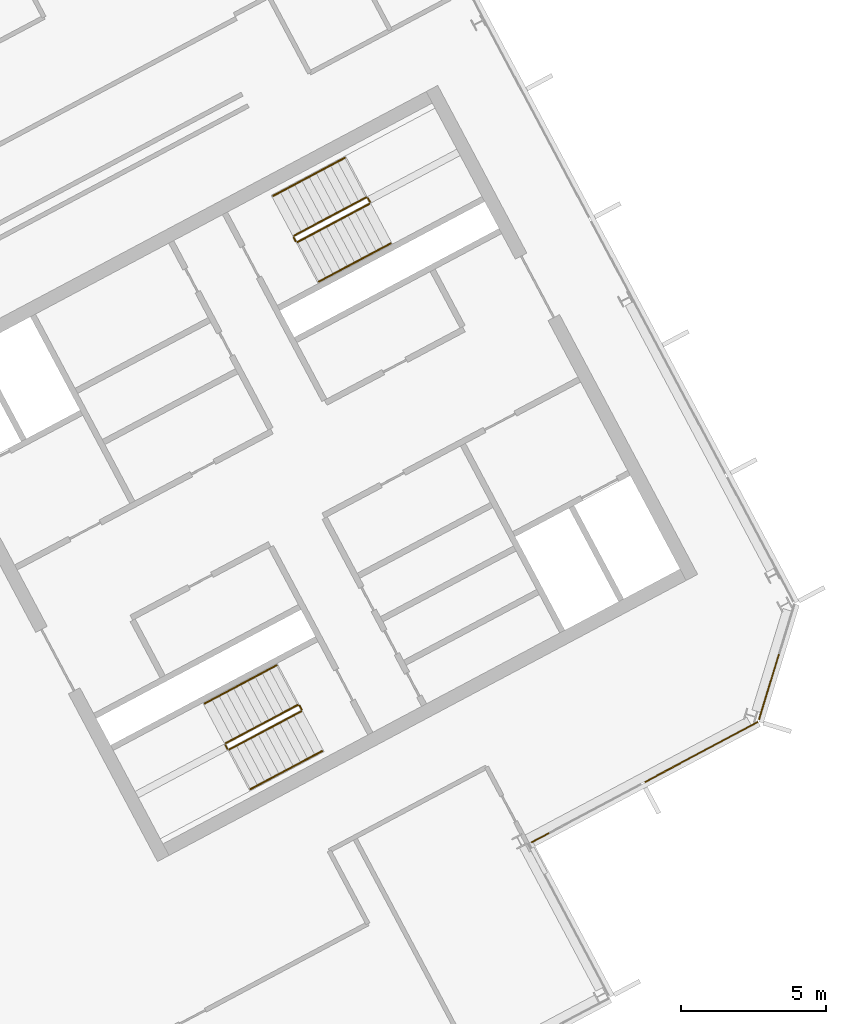
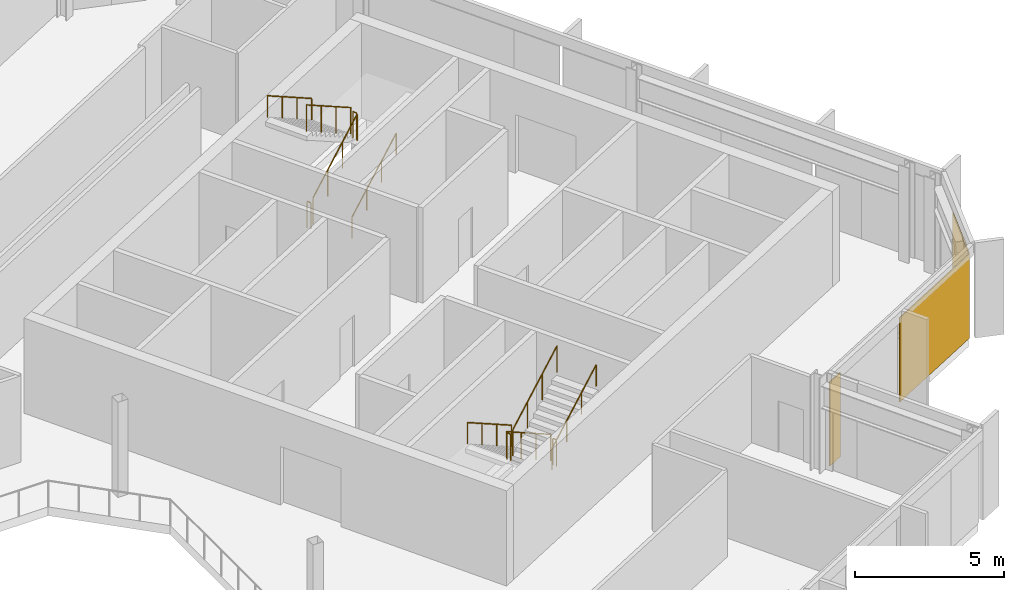
# One storey, part 25 of 26: 12 railings, 3 coverings, 2 elements without a shape of their own.
"""IFC4 building model written with IfcOpenShell, lengths in metres."""

from ifc_helpers import new_model, si_unit, direction, frame, origin, origin_2d, place, context, subcontext, project, spatial, polyline, rectangle, outline, extrude, material, layer, layer_set, type_object, element, aggregate, save


model = new_model("IFC4")

# Units and contexts
model_context = context("Model", 3, precision=1e-05, world=origin(), true_north=direction((0.0, 1.0)))
body_context = subcontext(model_context, "Body", "Model", "MODEL_VIEW")
ifc_project = project(units=[si_unit("LENGTHUNIT", "METRE"), si_unit("AREAUNIT", "SQUARE_METRE"), si_unit("VOLUMEUNIT", "CUBIC_METRE"), si_unit("PLANEANGLEUNIT", "RADIAN"), si_unit("MASSUNIT", "GRAM", prefix="KILO")], contexts=[model_context])

# Site, building, storey
site_placement = place(None, origin())
site = spatial("IfcSite", under=ifc_project, at=site_placement, CompositionType="ELEMENT")
building_placement = place(site_placement, origin())
building = spatial("IfcBuilding", under=site, at=building_placement, Name="Cormorant Relay Tower", CompositionType="ELEMENT")
storey_placement = place(building_placement, frame((0.0, 0.0, 293.10009765625)))
storey = spatial("IfcBuildingStorey", under=building, at=storey_placement, Name="L66", CompositionType="ELEMENT", Elevation=293.10009765625)

# Curtain wall, coverings
ifc_material_1 = material(Name="Aluminium 6063-T6 anodised bronze", Category="aluminium")
ifc_layer_1 = layer(ifc_material_1, 0.199951171875)
ifc_layer_set_1 = layer_set([ifc_layer_1], Name="CW1 unitised bronze curtain wall with vertical fins")
curtain_wall_type = type_object("IfcCurtainWallType", Name="CW1 unitised bronze curtain wall with vertical fins", PredefinedType="NOTDEFINED", material=ifc_layer_set_1)
curtain_wall_1_placement = place(storey_placement, origin())
curtain_wall_1 = element("IfcCurtainWall", 1, at=curtain_wall_1_placement, inside=storey, type_object=curtain_wall_type, Name="CW1 curtain wall 4", PredefinedType="NOTDEFINED")
ifc_material_2 = material(Name="Pale bronze anodised aluminium insulated panel", Category="aluminium")
ifc_layer_2 = layer(ifc_material_2, 0.0400390625)
ifc_layer_set_2 = layer_set([ifc_layer_2], Name="CW1 pale bronze insulated panel 40")
covering_type = type_object("IfcCoveringType", Name="CW1 pale bronze insulated panel 40", PredefinedType="CLADDING", material=ifc_layer_set_2)
covering_1_placement = place(storey_placement, frame((32.204345703125, 0.1123046875, 0.0), z_axis=(0.0, 0.0, 1.0), x_axis=(0.882947592859, 0.469471562786, 0.0)))
covering_1 = element("IfcCovering", 2, at=covering_1_placement, type_object=covering_type, Name="CW1 panel S00", PredefinedType="CLADDING", context=body_context, shape_type="SweptSolid", body=[
    extrude(rectangle(XDim=0.675048828125, YDim=0.0400390625, at=origin_2d()), origin(), (0.0, 0.0, 1.0), 3.449951171875),
])
covering_2_placement = place(storey_placement, frame((37.76708984375, 3.06982421875, 0.0), z_axis=(0.0, 0.0, 1.0), x_axis=(0.882947592859, 0.469471562786, 0.0)))
covering_2 = element("IfcCovering", 3, at=covering_2_placement, type_object=covering_type, Name="CW1 panel S02", PredefinedType="CLADDING", context=body_context, shape_type="SweptSolid", body=[
    extrude(rectangle(XDim=4.425048828125, YDim=0.0400390625, at=origin_2d()), origin(), (0.0, 0.0, 1.0), 3.449951171875),
])
aggregate(curtain_wall_1, [covering_1, covering_2])

# Curtain wall, covering
curtain_wall_2_placement = place(storey_placement, origin())
curtain_wall_2 = element("IfcCurtainWall", 4, at=curtain_wall_2_placement, inside=storey, type_object=curtain_wall_type, Name="CW1 curtain wall 5", PredefinedType="NOTDEFINED")
covering_3_placement = place(storey_placement, frame((40.098388671875, 5.32421875, 0.0), z_axis=(0.0, 0.0, 1.0), x_axis=(0.292371704723, 0.956304755963, 0.0)))
covering_3 = element("IfcCovering", 5, at=covering_3_placement, type_object=covering_type, Name="CW1 panel S00", PredefinedType="CLADDING", context=body_context, shape_type="SweptSolid", body=[
    extrude(rectangle(XDim=2.36767578125, YDim=0.0400390625, at=origin_2d()), origin(), (0.0, 0.0, 1.0), 3.449951171875),
])
aggregate(curtain_wall_2, [covering_3])

# Railings
ifc_material_3 = material(Name="Steel ASTM A572 Grade 50 (Fy 345 MPa)", Category="steel")
railing_type_1 = type_object("IfcRailingType", Name="Stair guard 1100", PredefinedType="GUARDRAIL", material=ifc_material_3)
railing_1_placement = place(storey_placement, frame((23.83837890625, 4.6904296875, 0.17724609375)))
element("IfcRailing", 6, at=railing_1_placement, inside=storey, type_object=railing_type_1, Name="L66 B1 stair guard 1", PredefinedType="GUARDRAIL", context=body_context, shape_type="SweptSolid", body=[
    extrude(outline(polyline([(0.022216796875, 0.00927734375), (0.00927734375, 0.022216796875), (-0.00927734375, 0.022216796875), (-0.022216796875, 0.00927734375), (-0.022216796875, -0.00927734375), (-0.00927734375, -0.022216796875), (0.00927734375, -0.022216796875), (0.022216796875, -0.00927734375), (0.022216796875, 0.00927734375)])), frame((0.0, 0.0, 1.076171875), z_axis=(-0.746033882577, -0.396627473466, 0.534901947407), x_axis=(0.469429322983, -0.882970050864, 0.0)), (0.0, 0.0, 1.0), 3.31396484375),
    extrude(outline(polyline([(0.019287109375, 0.008056640625), (0.008056640625, 0.019287109375), (-0.008056640625, 0.019287109375), (-0.019287109375, 0.008056640625), (-0.019287109375, -0.008056640625), (-0.008056640625, -0.019287109375), (0.008056640625, -0.019287109375), (0.019287109375, -0.008056640625), (0.019287109375, 0.008056640625)])), origin(), (0.0, 0.0, 1.0), 1.052001953125),
    extrude(outline(polyline([(0.019287109375, 0.008056640625), (0.008056640625, 0.019287109375), (-0.008056640625, 0.019287109375), (-0.019287109375, 0.008056640625), (-0.019287109375, -0.008056640625), (-0.008056640625, -0.019287109375), (0.008056640625, -0.019287109375), (0.019287109375, -0.008056640625), (0.019287109375, 0.008056640625)])), frame((-0.82421875, -0.438232421875, 0.5908203125)), (0.0, 0.0, 1.0), 1.052001953125),
    extrude(outline(polyline([(0.019287109375, 0.008056640625), (0.008056640625, 0.019287109375), (-0.008056640625, 0.019287109375), (-0.019287109375, 0.008056640625), (-0.019287109375, -0.008056640625), (-0.008056640625, -0.019287109375), (0.008056640625, -0.019287109375), (0.019287109375, -0.008056640625), (0.019287109375, 0.008056640625)])), frame((-1.648193359375, -0.876220703125, 1.181884765625)), (0.0, 0.0, 1.0), 1.052001953125),
    extrude(outline(polyline([(0.019287109375, 0.008056640625), (0.008056640625, 0.019287109375), (-0.008056640625, 0.019287109375), (-0.019287109375, 0.008056640625), (-0.019287109375, -0.008056640625), (-0.008056640625, -0.019287109375), (0.008056640625, -0.019287109375), (0.019287109375, -0.008056640625), (0.019287109375, 0.008056640625)])), frame((-2.472412109375, -1.314453125, 1.772705078125)), (0.0, 0.0, 1.0), 1.052001953125),
])
railing_2_placement = place(storey_placement, frame((21.345458984375, 3.308349609375, 1.949951171875)))
element("IfcRailing", 7, at=railing_2_placement, inside=storey, type_object=railing_type_1, Name="L66 B1 stair guard 2", PredefinedType="GUARDRAIL", context=body_context, shape_type="SweptSolid", body=[
    extrude(outline(polyline([(0.022216796875, 0.00927734375), (0.00927734375, 0.022216796875), (-0.00927734375, 0.022216796875), (-0.022216796875, 0.00927734375), (-0.022216796875, -0.00927734375), (-0.00927734375, -0.022216796875), (0.00927734375, -0.022216796875), (0.022216796875, -0.00927734375), (0.022216796875, 0.00927734375)])), frame((0.0, 0.0, 1.076171875), z_axis=(0.46856034887, -0.8834314911, 0.0), x_axis=(0.8834314911, 0.46856034887, 0.0)), (0.0, 0.0, 1.0), 0.150146484375),
    extrude(outline(polyline([(0.019287109375, 0.008056640625), (0.008056640625, 0.019287109375), (-0.008056640625, 0.019287109375), (-0.019287109375, 0.008056640625), (-0.019287109375, -0.008056640625), (-0.008056640625, -0.019287109375), (0.008056640625, -0.019287109375), (0.019287109375, -0.008056640625), (0.019287109375, 0.008056640625)])), origin(), (0.0, 0.0, 1.0), 1.052001953125),
    extrude(outline(polyline([(0.019287109375, 0.008056640625), (0.008056640625, 0.019287109375), (-0.008056640625, 0.019287109375), (-0.019287109375, 0.008056640625), (-0.019287109375, -0.008056640625), (-0.008056640625, -0.019287109375), (0.008056640625, -0.019287109375), (0.019287109375, -0.008056640625), (0.019287109375, 0.008056640625)])), frame((0.0703125, -0.132568359375, 0.0)), (0.0, 0.0, 1.0), 1.052001953125),
])
railing_3_placement = place(storey_placement, frame((21.4833984375, 3.1552734375, 2.127197265625)))
element("IfcRailing", 8, at=railing_3_placement, inside=storey, type_object=railing_type_1, Name="L66 B1 stair guard 3", PredefinedType="GUARDRAIL", context=body_context, shape_type="SweptSolid", body=[
    extrude(outline(polyline([(0.022216796875, 0.00927734375), (0.00927734375, 0.022216796875), (-0.00927734375, 0.022216796875), (-0.022216796875, 0.00927734375), (-0.022216796875, -0.00927734375), (-0.00927734375, -0.022216796875), (0.00927734375, -0.022216796875), (0.022216796875, -0.00927734375), (0.022216796875, 0.00927734375)])), frame((0.0, 0.0, 1.076171875), z_axis=(0.746001213114, 0.396649272309, 0.534931345884), x_axis=(-0.469465464807, 0.882950835185, 0.0)), (0.0, 0.0, 1.0), 3.31396484375),
    extrude(outline(polyline([(0.019287109375, 0.008056640625), (0.008056640625, 0.019287109375), (-0.008056640625, 0.019287109375), (-0.019287109375, 0.008056640625), (-0.019287109375, -0.008056640625), (-0.008056640625, -0.019287109375), (0.008056640625, -0.019287109375), (0.019287109375, -0.008056640625), (0.019287109375, 0.008056640625)])), origin(), (0.0, 0.0, 1.0), 1.052001953125),
    extrude(outline(polyline([(0.019287109375, 0.008056640625), (0.008056640625, 0.019287109375), (-0.008056640625, 0.019287109375), (-0.019287109375, 0.008056640625), (-0.019287109375, -0.008056640625), (-0.008056640625, -0.019287109375), (0.008056640625, -0.019287109375), (0.019287109375, -0.008056640625), (0.019287109375, 0.008056640625)])), frame((0.823974609375, 0.438232421875, 0.5908203125)), (0.0, 0.0, 1.0), 1.052001953125),
    extrude(outline(polyline([(0.019287109375, 0.008056640625), (0.008056640625, 0.019287109375), (-0.008056640625, 0.019287109375), (-0.019287109375, 0.008056640625), (-0.019287109375, -0.008056640625), (-0.008056640625, -0.019287109375), (0.008056640625, -0.019287109375), (0.019287109375, -0.008056640625), (0.019287109375, 0.008056640625)])), frame((1.648193359375, 0.876220703125, 1.181884765625)), (0.0, 0.0, 1.0), 1.052001953125),
    extrude(outline(polyline([(0.019287109375, 0.008056640625), (0.008056640625, 0.019287109375), (-0.008056640625, 0.019287109375), (-0.019287109375, 0.008056640625), (-0.019287109375, -0.008056640625), (-0.008056640625, -0.019287109375), (0.008056640625, -0.019287109375), (0.019287109375, -0.008056640625), (0.019287109375, 0.008056640625)])), frame((2.47216796875, 1.314453125, 1.772705078125)), (0.0, 0.0, 1.0), 1.052001953125),
])
railing_4_placement = place(storey_placement, frame((23.906005859375, 4.669677734375, 0.0)))
element("IfcRailing", 9, at=railing_4_placement, inside=storey, type_object=railing_type_1, Name="L66 B1 stair guard 4", PredefinedType="GUARDRAIL", context=body_context, shape_type="SweptSolid", body=[
    extrude(outline(polyline([(0.022216796875, 0.00927734375), (0.00927734375, 0.022216796875), (-0.00927734375, 0.022216796875), (-0.022216796875, 0.00927734375), (-0.022216796875, -0.00927734375), (-0.00927734375, -0.022216796875), (0.00927734375, -0.022216796875), (0.022216796875, -0.00927734375), (0.022216796875, 0.00927734375)])), frame((0.0, 0.0, 1.076171875), z_axis=(0.469234640946, -0.883073525669, 0.0), x_axis=(0.883073525669, 0.469234640946, 0.0)), (0.0, 0.0, 1.0), 0.14990234375),
    extrude(outline(polyline([(0.019287109375, 0.008056640625), (0.008056640625, 0.019287109375), (-0.008056640625, 0.019287109375), (-0.019287109375, 0.008056640625), (-0.019287109375, -0.008056640625), (-0.008056640625, -0.019287109375), (0.008056640625, -0.019287109375), (0.019287109375, -0.008056640625), (0.019287109375, 0.008056640625)])), origin(), (0.0, 0.0, 1.0), 1.052001953125),
    extrude(outline(polyline([(0.019287109375, 0.008056640625), (0.008056640625, 0.019287109375), (-0.008056640625, 0.019287109375), (-0.019287109375, 0.008056640625), (-0.019287109375, -0.008056640625), (-0.008056640625, -0.019287109375), (0.008056640625, -0.019287109375), (0.019287109375, -0.008056640625), (0.019287109375, 0.008056640625)])), frame((0.0703125, -0.13232421875, 0.0)), (0.0, 0.0, 1.0), 1.052001953125),
])
railing_5_placement = place(storey_placement, frame((23.8408203125, 20.6611328125, 0.17724609375)))
element("IfcRailing", 10, at=railing_5_placement, inside=storey, type_object=railing_type_1, Name="L66 B2 stair guard 1", PredefinedType="GUARDRAIL", context=body_context, shape_type="SweptSolid", body=[
    extrude(outline(polyline([(0.022216796875, 0.00927734375), (0.00927734375, 0.022216796875), (-0.00927734375, 0.022216796875), (-0.022216796875, 0.00927734375), (-0.022216796875, -0.00927734375), (-0.00927734375, -0.022216796875), (0.00927734375, -0.022216796875), (0.022216796875, -0.00927734375), (0.022216796875, 0.00927734375)])), frame((0.0, 0.0, 1.076171875), z_axis=(0.746033882577, 0.396627473466, 0.534901947407), x_axis=(-0.469429322983, 0.882970050864, 0.0)), (0.0, 0.0, 1.0), 3.31396484375),
    extrude(outline(polyline([(0.019287109375, 0.008056640625), (0.008056640625, 0.019287109375), (-0.008056640625, 0.019287109375), (-0.019287109375, 0.008056640625), (-0.019287109375, -0.008056640625), (-0.008056640625, -0.019287109375), (0.008056640625, -0.019287109375), (0.019287109375, -0.008056640625), (0.019287109375, 0.008056640625)])), origin(), (0.0, 0.0, 1.0), 1.052001953125),
    extrude(outline(polyline([(0.019287109375, 0.008056640625), (0.008056640625, 0.019287109375), (-0.008056640625, 0.019287109375), (-0.019287109375, 0.008056640625), (-0.019287109375, -0.008056640625), (-0.008056640625, -0.019287109375), (0.008056640625, -0.019287109375), (0.019287109375, -0.008056640625), (0.019287109375, 0.008056640625)])), frame((0.82421875, 0.438232421875, 0.5908203125)), (0.0, 0.0, 1.0), 1.052001953125),
    extrude(outline(polyline([(0.019287109375, 0.008056640625), (0.008056640625, 0.019287109375), (-0.008056640625, 0.019287109375), (-0.019287109375, 0.008056640625), (-0.019287109375, -0.008056640625), (-0.008056640625, -0.019287109375), (0.008056640625, -0.019287109375), (0.019287109375, -0.008056640625), (0.019287109375, 0.008056640625)])), frame((1.648193359375, 0.876220703125, 1.181884765625)), (0.0, 0.0, 1.0), 1.052001953125),
    extrude(outline(polyline([(0.019287109375, 0.008056640625), (0.008056640625, 0.019287109375), (-0.008056640625, 0.019287109375), (-0.019287109375, 0.008056640625), (-0.019287109375, -0.008056640625), (-0.008056640625, -0.019287109375), (0.008056640625, -0.019287109375), (0.019287109375, -0.008056640625), (0.019287109375, 0.008056640625)])), frame((2.472412109375, 1.314453125, 1.772705078125)), (0.0, 0.0, 1.0), 1.052001953125),
])
railing_6_placement = place(storey_placement, frame((26.333740234375, 22.043212890625, 1.949951171875)))
element("IfcRailing", 11, at=railing_6_placement, inside=storey, type_object=railing_type_1, Name="L66 B2 stair guard 2", PredefinedType="GUARDRAIL", context=body_context, shape_type="SweptSolid", body=[
    extrude(outline(polyline([(0.022216796875, 0.00927734375), (0.00927734375, 0.022216796875), (-0.00927734375, 0.022216796875), (-0.022216796875, 0.00927734375), (-0.022216796875, -0.00927734375), (-0.00927734375, -0.022216796875), (0.00927734375, -0.022216796875), (0.022216796875, -0.00927734375), (0.022216796875, 0.00927734375)])), frame((0.0, 0.0, 1.076171875), z_axis=(-0.469234640946, 0.883073525669, 0.0), x_axis=(-0.883073525669, -0.469234640946, 0.0)), (0.0, 0.0, 1.0), 0.14990234375),
    extrude(outline(polyline([(0.019287109375, 0.008056640625), (0.008056640625, 0.019287109375), (-0.008056640625, 0.019287109375), (-0.019287109375, 0.008056640625), (-0.019287109375, -0.008056640625), (-0.008056640625, -0.019287109375), (0.008056640625, -0.019287109375), (0.019287109375, -0.008056640625), (0.019287109375, 0.008056640625)])), origin(), (0.0, 0.0, 1.0), 1.052001953125),
    extrude(outline(polyline([(0.019287109375, 0.008056640625), (0.008056640625, 0.019287109375), (-0.008056640625, 0.019287109375), (-0.019287109375, 0.008056640625), (-0.019287109375, -0.008056640625), (-0.008056640625, -0.019287109375), (0.008056640625, -0.019287109375), (0.019287109375, -0.008056640625), (0.019287109375, 0.008056640625)])), frame((-0.0703125, 0.13232421875, 0.0)), (0.0, 0.0, 1.0), 1.052001953125),
])
railing_7_placement = place(storey_placement, frame((26.19580078125, 22.1962890625, 2.127197265625)))
element("IfcRailing", 12, at=railing_7_placement, inside=storey, type_object=railing_type_1, Name="L66 B2 stair guard 3", PredefinedType="GUARDRAIL", context=body_context, shape_type="SweptSolid", body=[
    extrude(outline(polyline([(0.022216796875, 0.00927734375), (0.00927734375, 0.022216796875), (-0.00927734375, 0.022216796875), (-0.022216796875, 0.00927734375), (-0.022216796875, -0.00927734375), (-0.00927734375, -0.022216796875), (0.00927734375, -0.022216796875), (0.022216796875, -0.00927734375), (0.022216796875, 0.00927734375)])), frame((0.0, 0.0, 1.076171875), z_axis=(-0.746033882577, -0.396627473466, 0.534901947407), x_axis=(0.469429322983, -0.882970050864, 0.0)), (0.0, 0.0, 1.0), 3.31396484375),
    extrude(outline(polyline([(0.019287109375, 0.008056640625), (0.008056640625, 0.019287109375), (-0.008056640625, 0.019287109375), (-0.019287109375, 0.008056640625), (-0.019287109375, -0.008056640625), (-0.008056640625, -0.019287109375), (0.008056640625, -0.019287109375), (0.019287109375, -0.008056640625), (0.019287109375, 0.008056640625)])), origin(), (0.0, 0.0, 1.0), 1.052001953125),
    extrude(outline(polyline([(0.019287109375, 0.008056640625), (0.008056640625, 0.019287109375), (-0.008056640625, 0.019287109375), (-0.019287109375, 0.008056640625), (-0.019287109375, -0.008056640625), (-0.008056640625, -0.019287109375), (0.008056640625, -0.019287109375), (0.019287109375, -0.008056640625), (0.019287109375, 0.008056640625)])), frame((-0.82421875, -0.438232421875, 0.5908203125)), (0.0, 0.0, 1.0), 1.052001953125),
    extrude(outline(polyline([(0.019287109375, 0.008056640625), (0.008056640625, 0.019287109375), (-0.008056640625, 0.019287109375), (-0.019287109375, 0.008056640625), (-0.019287109375, -0.008056640625), (-0.008056640625, -0.019287109375), (0.008056640625, -0.019287109375), (0.019287109375, -0.008056640625), (0.019287109375, 0.008056640625)])), frame((-1.648193359375, -0.876220703125, 1.181884765625)), (0.0, 0.0, 1.0), 1.052001953125),
    extrude(outline(polyline([(0.019287109375, 0.008056640625), (0.008056640625, 0.019287109375), (-0.008056640625, 0.019287109375), (-0.019287109375, 0.008056640625), (-0.019287109375, -0.008056640625), (-0.008056640625, -0.019287109375), (0.008056640625, -0.019287109375), (0.019287109375, -0.008056640625), (0.019287109375, 0.008056640625)])), frame((-2.472412109375, -1.314453125, 1.772705078125)), (0.0, 0.0, 1.0), 1.052001953125),
])
railing_8_placement = place(storey_placement, frame((23.773193359375, 20.681640625, 0.0)))
element("IfcRailing", 13, at=railing_8_placement, inside=storey, type_object=railing_type_1, Name="L66 B2 stair guard 4", PredefinedType="GUARDRAIL", context=body_context, shape_type="SweptSolid", body=[
    extrude(outline(polyline([(0.022216796875, 0.00927734375), (0.00927734375, 0.022216796875), (-0.00927734375, 0.022216796875), (-0.022216796875, 0.00927734375), (-0.022216796875, -0.00927734375), (-0.00927734375, -0.022216796875), (0.00927734375, -0.022216796875), (0.022216796875, -0.00927734375), (0.022216796875, 0.00927734375)])), frame((0.0, 0.0, 1.076171875), z_axis=(-0.46856034887, 0.8834314911, 0.0), x_axis=(-0.8834314911, -0.46856034887, 0.0)), (0.0, 0.0, 1.0), 0.150146484375),
    extrude(outline(polyline([(0.019287109375, 0.008056640625), (0.008056640625, 0.019287109375), (-0.008056640625, 0.019287109375), (-0.019287109375, 0.008056640625), (-0.019287109375, -0.008056640625), (-0.008056640625, -0.019287109375), (0.008056640625, -0.019287109375), (0.019287109375, -0.008056640625), (0.019287109375, 0.008056640625)])), origin(), (0.0, 0.0, 1.0), 1.052001953125),
    extrude(outline(polyline([(0.019287109375, 0.008056640625), (0.008056640625, 0.019287109375), (-0.008056640625, 0.019287109375), (-0.019287109375, 0.008056640625), (-0.019287109375, -0.008056640625), (-0.008056640625, -0.019287109375), (0.008056640625, -0.019287109375), (0.019287109375, -0.008056640625), (0.019287109375, 0.008056640625)])), frame((-0.0703125, 0.132568359375, 0.0)), (0.0, 0.0, 1.0), 1.052001953125),
])
ifc_material_4 = material(Name="Steel ASTM A572 Grade 50 (Fy 345 MPa)", Category="steel")
railing_type_2 = type_object("IfcRailingType", Name="Stair handrail 900", PredefinedType="HANDRAIL", material=ifc_material_4)
railing_9_placement = place(storey_placement, frame((23.110595703125, 6.05908203125, 0.17724609375)))
element("IfcRailing", 14, at=railing_9_placement, inside=storey, type_object=railing_type_2, Name="L66 B1 stair handrail 1", PredefinedType="HANDRAIL", context=body_context, shape_type="SweptSolid", body=[
    extrude(outline(polyline([(0.022216796875, 0.00927734375), (0.00927734375, 0.022216796875), (-0.00927734375, 0.022216796875), (-0.022216796875, 0.00927734375), (-0.022216796875, -0.00927734375), (-0.00927734375, -0.022216796875), (0.00927734375, -0.022216796875), (0.022216796875, -0.00927734375), (0.022216796875, 0.00927734375)])), frame((0.0, 0.0, 0.8759765625), z_axis=(-0.745979412481, -0.396711350603, 0.534915713414), x_axis=(0.469533439143, -0.882914689835, 0.0)), (0.0, 0.0, 1.0), 3.31396484375),
    extrude(outline(polyline([(0.019287109375, 0.008056640625), (0.008056640625, 0.019287109375), (-0.008056640625, 0.019287109375), (-0.019287109375, 0.008056640625), (-0.019287109375, -0.008056640625), (-0.008056640625, -0.019287109375), (0.008056640625, -0.019287109375), (0.019287109375, -0.008056640625), (0.019287109375, 0.008056640625)])), origin(), (0.0, 0.0, 1.0), 0.851806640625),
    extrude(outline(polyline([(0.019287109375, 0.008056640625), (0.008056640625, 0.019287109375), (-0.008056640625, 0.019287109375), (-0.019287109375, 0.008056640625), (-0.019287109375, -0.008056640625), (-0.008056640625, -0.019287109375), (0.008056640625, -0.019287109375), (0.019287109375, -0.008056640625), (0.019287109375, 0.008056640625)])), frame((-0.823974609375, -0.438232421875, 0.5908203125)), (0.0, 0.0, 1.0), 0.851806640625),
    extrude(outline(polyline([(0.019287109375, 0.008056640625), (0.008056640625, 0.019287109375), (-0.008056640625, 0.019287109375), (-0.019287109375, 0.008056640625), (-0.019287109375, -0.008056640625), (-0.008056640625, -0.019287109375), (0.008056640625, -0.019287109375), (0.019287109375, -0.008056640625), (0.019287109375, 0.008056640625)])), frame((-1.648193359375, -0.87646484375, 1.181884765625)), (0.0, 0.0, 1.0), 0.851806640625),
    extrude(outline(polyline([(0.019287109375, 0.008056640625), (0.008056640625, 0.019287109375), (-0.008056640625, 0.019287109375), (-0.019287109375, 0.008056640625), (-0.019287109375, -0.008056640625), (-0.008056640625, -0.019287109375), (0.008056640625, -0.019287109375), (0.019287109375, -0.008056640625), (0.019287109375, 0.008056640625)])), frame((-2.47216796875, -1.314697265625, 1.772705078125)), (0.0, 0.0, 1.0), 0.851806640625),
])
railing_10_placement = place(storey_placement, frame((22.211181640625, 1.78662109375, 2.127197265625)))
element("IfcRailing", 15, at=railing_10_placement, inside=storey, type_object=railing_type_2, Name="L66 B1 stair handrail 2", PredefinedType="HANDRAIL", context=body_context, shape_type="SweptSolid", body=[
    extrude(outline(polyline([(0.022216796875, 0.00927734375), (0.00927734375, 0.022216796875), (-0.00927734375, 0.022216796875), (-0.022216796875, 0.00927734375), (-0.022216796875, -0.00927734375), (-0.00927734375, -0.022216796875), (0.00927734375, -0.022216796875), (0.022216796875, -0.00927734375), (0.022216796875, 0.00927734375)])), frame((0.0, 0.0, 0.8759765625), z_axis=(0.746001213114, 0.396649272309, 0.534931345884), x_axis=(-0.469465464807, 0.882950835185, 0.0)), (0.0, 0.0, 1.0), 3.31396484375),
    extrude(outline(polyline([(0.019287109375, 0.008056640625), (0.008056640625, 0.019287109375), (-0.008056640625, 0.019287109375), (-0.019287109375, 0.008056640625), (-0.019287109375, -0.008056640625), (-0.008056640625, -0.019287109375), (0.008056640625, -0.019287109375), (0.019287109375, -0.008056640625), (0.019287109375, 0.008056640625)])), origin(), (0.0, 0.0, 1.0), 0.851806640625),
    extrude(outline(polyline([(0.019287109375, 0.008056640625), (0.008056640625, 0.019287109375), (-0.008056640625, 0.019287109375), (-0.019287109375, 0.008056640625), (-0.019287109375, -0.008056640625), (-0.008056640625, -0.019287109375), (0.008056640625, -0.019287109375), (0.019287109375, -0.008056640625), (0.019287109375, 0.008056640625)])), frame((0.823974609375, 0.438232421875, 0.5908203125)), (0.0, 0.0, 1.0), 0.851806640625),
    extrude(outline(polyline([(0.019287109375, 0.008056640625), (0.008056640625, 0.019287109375), (-0.008056640625, 0.019287109375), (-0.019287109375, 0.008056640625), (-0.019287109375, -0.008056640625), (-0.008056640625, -0.019287109375), (0.008056640625, -0.019287109375), (0.019287109375, -0.008056640625), (0.019287109375, 0.008056640625)])), frame((1.648193359375, 0.876220703125, 1.181884765625)), (0.0, 0.0, 1.0), 0.851806640625),
    extrude(outline(polyline([(0.019287109375, 0.008056640625), (0.008056640625, 0.019287109375), (-0.008056640625, 0.019287109375), (-0.019287109375, 0.008056640625), (-0.019287109375, -0.008056640625), (-0.008056640625, -0.019287109375), (0.008056640625, -0.019287109375), (0.019287109375, -0.008056640625), (0.019287109375, 0.008056640625)])), frame((2.47216796875, 1.314453125, 1.772705078125)), (0.0, 0.0, 1.0), 0.851806640625),
])
railing_11_placement = place(storey_placement, frame((24.568603515625, 19.29248046875, 0.17724609375)))
element("IfcRailing", 16, at=railing_11_placement, inside=storey, type_object=railing_type_2, Name="L66 B2 stair handrail 1", PredefinedType="HANDRAIL", context=body_context, shape_type="SweptSolid", body=[
    extrude(outline(polyline([(0.022216796875, 0.00927734375), (0.00927734375, 0.022216796875), (-0.00927734375, 0.022216796875), (-0.022216796875, 0.00927734375), (-0.022216796875, -0.00927734375), (-0.00927734375, -0.022216796875), (0.00927734375, -0.022216796875), (0.022216796875, -0.00927734375), (0.022216796875, 0.00927734375)])), frame((0.0, 0.0, 0.8759765625), z_axis=(0.746001213114, 0.396649272309, 0.534931345884), x_axis=(-0.469465464807, 0.882950835185, 0.0)), (0.0, 0.0, 1.0), 3.31396484375),
    extrude(outline(polyline([(0.019287109375, 0.008056640625), (0.008056640625, 0.019287109375), (-0.008056640625, 0.019287109375), (-0.019287109375, 0.008056640625), (-0.019287109375, -0.008056640625), (-0.008056640625, -0.019287109375), (0.008056640625, -0.019287109375), (0.019287109375, -0.008056640625), (0.019287109375, 0.008056640625)])), origin(), (0.0, 0.0, 1.0), 0.851806640625),
    extrude(outline(polyline([(0.019287109375, 0.008056640625), (0.008056640625, 0.019287109375), (-0.008056640625, 0.019287109375), (-0.019287109375, 0.008056640625), (-0.019287109375, -0.008056640625), (-0.008056640625, -0.019287109375), (0.008056640625, -0.019287109375), (0.019287109375, -0.008056640625), (0.019287109375, 0.008056640625)])), frame((0.823974609375, 0.438232421875, 0.5908203125)), (0.0, 0.0, 1.0), 0.851806640625),
    extrude(outline(polyline([(0.019287109375, 0.008056640625), (0.008056640625, 0.019287109375), (-0.008056640625, 0.019287109375), (-0.019287109375, 0.008056640625), (-0.019287109375, -0.008056640625), (-0.008056640625, -0.019287109375), (0.008056640625, -0.019287109375), (0.019287109375, -0.008056640625), (0.019287109375, 0.008056640625)])), frame((1.648193359375, 0.876220703125, 1.181884765625)), (0.0, 0.0, 1.0), 0.851806640625),
    extrude(outline(polyline([(0.019287109375, 0.008056640625), (0.008056640625, 0.019287109375), (-0.008056640625, 0.019287109375), (-0.019287109375, 0.008056640625), (-0.019287109375, -0.008056640625), (-0.008056640625, -0.019287109375), (0.008056640625, -0.019287109375), (0.019287109375, -0.008056640625), (0.019287109375, 0.008056640625)])), frame((2.47216796875, 1.314453125, 1.772705078125)), (0.0, 0.0, 1.0), 0.851806640625),
])
railing_12_placement = place(storey_placement, frame((25.468017578125, 23.56494140625, 2.127197265625)))
element("IfcRailing", 17, at=railing_12_placement, inside=storey, type_object=railing_type_2, Name="L66 B2 stair handrail 2", PredefinedType="HANDRAIL", context=body_context, shape_type="SweptSolid", body=[
    extrude(outline(polyline([(0.022216796875, 0.00927734375), (0.00927734375, 0.022216796875), (-0.00927734375, 0.022216796875), (-0.022216796875, 0.00927734375), (-0.022216796875, -0.00927734375), (-0.00927734375, -0.022216796875), (0.00927734375, -0.022216796875), (0.022216796875, -0.00927734375), (0.022216796875, 0.00927734375)])), frame((0.0, 0.0, 0.8759765625), z_axis=(-0.745979412481, -0.396711350603, 0.534915713414), x_axis=(0.469533439143, -0.882914689835, 0.0)), (0.0, 0.0, 1.0), 3.31396484375),
    extrude(outline(polyline([(0.019287109375, 0.008056640625), (0.008056640625, 0.019287109375), (-0.008056640625, 0.019287109375), (-0.019287109375, 0.008056640625), (-0.019287109375, -0.008056640625), (-0.008056640625, -0.019287109375), (0.008056640625, -0.019287109375), (0.019287109375, -0.008056640625), (0.019287109375, 0.008056640625)])), origin(), (0.0, 0.0, 1.0), 0.851806640625),
    extrude(outline(polyline([(0.019287109375, 0.008056640625), (0.008056640625, 0.019287109375), (-0.008056640625, 0.019287109375), (-0.019287109375, 0.008056640625), (-0.019287109375, -0.008056640625), (-0.008056640625, -0.019287109375), (0.008056640625, -0.019287109375), (0.019287109375, -0.008056640625), (0.019287109375, 0.008056640625)])), frame((-0.823974609375, -0.438232421875, 0.5908203125)), (0.0, 0.0, 1.0), 0.851806640625),
    extrude(outline(polyline([(0.019287109375, 0.008056640625), (0.008056640625, 0.019287109375), (-0.008056640625, 0.019287109375), (-0.019287109375, 0.008056640625), (-0.019287109375, -0.008056640625), (-0.008056640625, -0.019287109375), (0.008056640625, -0.019287109375), (0.019287109375, -0.008056640625), (0.019287109375, 0.008056640625)])), frame((-1.648193359375, -0.87646484375, 1.181884765625)), (0.0, 0.0, 1.0), 0.851806640625),
    extrude(outline(polyline([(0.019287109375, 0.008056640625), (0.008056640625, 0.019287109375), (-0.008056640625, 0.019287109375), (-0.019287109375, 0.008056640625), (-0.019287109375, -0.008056640625), (-0.008056640625, -0.019287109375), (0.008056640625, -0.019287109375), (0.019287109375, -0.008056640625), (0.019287109375, 0.008056640625)])), frame((-2.47216796875, -1.314697265625, 1.772705078125)), (0.0, 0.0, 1.0), 0.851806640625),
])

save(model, "model.ifc")
